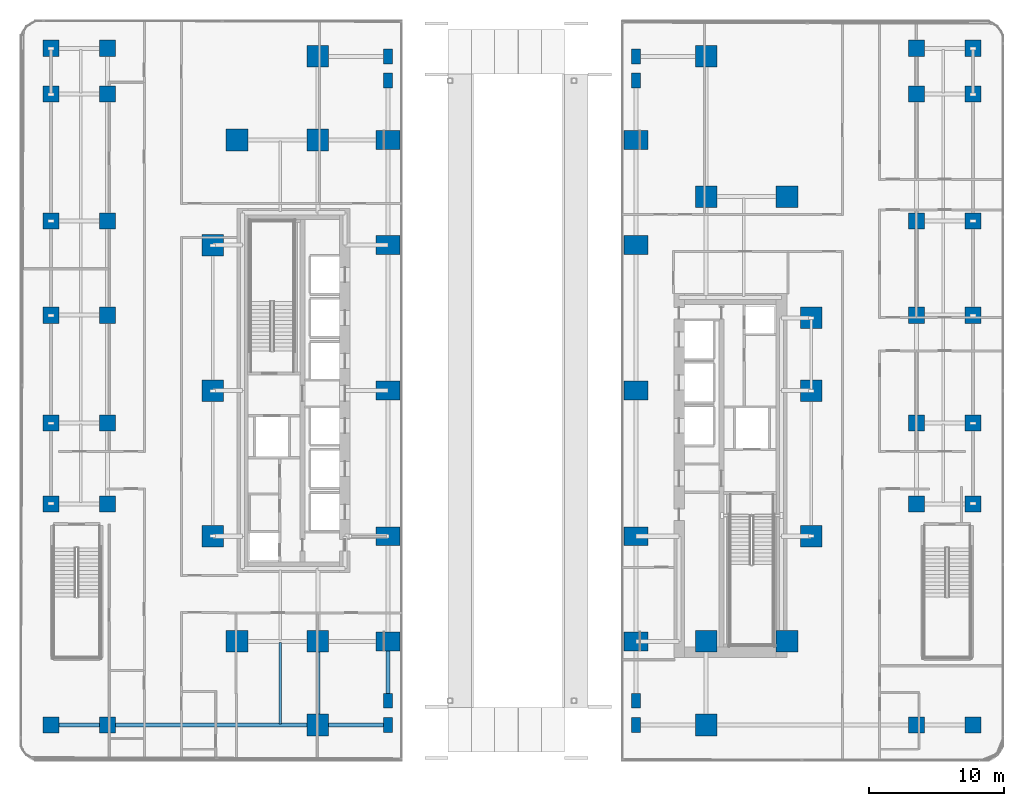
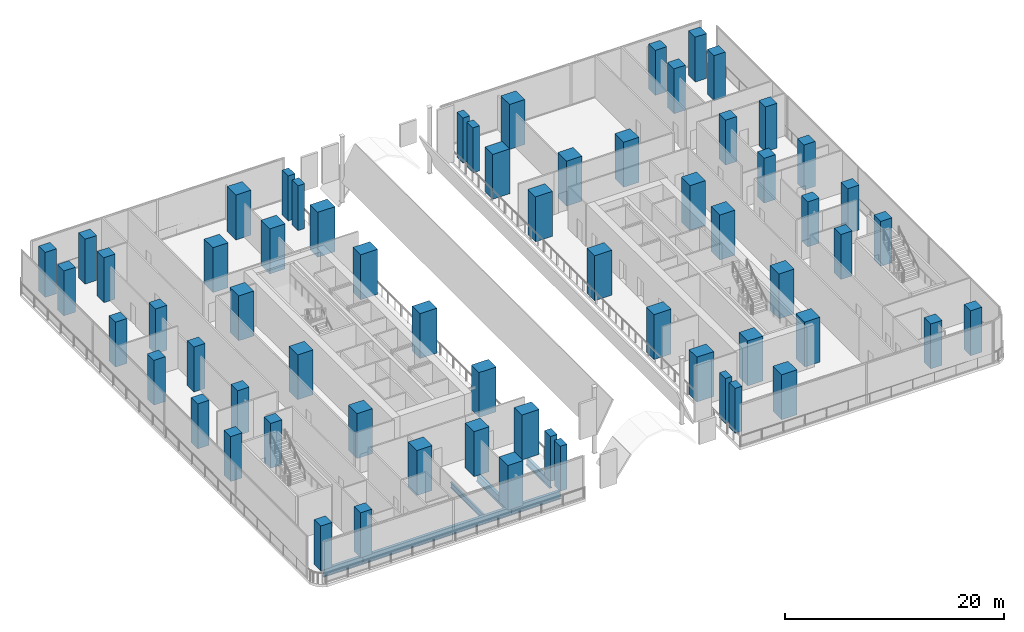
# One storey, part 1 of 31: 64 columns, 6 beams.
"""IFC4 building model written with IfcOpenShell, lengths in metres."""

from ifc_helpers import new_model, si_unit, direction, frame, origin, origin_2d, place, context, subcontext, project, spatial, rectangle, i_section, extrude, material, material_profile, profile_set, type_object, element, save


model = new_model("IFC4")

# Units and contexts
model_context = context("Model", 3, precision=1e-05, world=origin(), true_north=direction((0.0, 1.0)))
body_context = subcontext(model_context, "Body", "Model", "MODEL_VIEW")
ifc_project = project(units=[si_unit("LENGTHUNIT", "METRE"), si_unit("AREAUNIT", "SQUARE_METRE"), si_unit("VOLUMEUNIT", "CUBIC_METRE"), si_unit("PLANEANGLEUNIT", "RADIAN"), si_unit("MASSUNIT", "GRAM", prefix="KILO")], contexts=[model_context])

# Site, building, storey
site_placement = place(None, origin())
site = spatial("IfcSite", under=ifc_project, at=site_placement, CompositionType="ELEMENT")
building_placement = place(site_placement, origin())
building = spatial("IfcBuilding", under=site, at=building_placement, Name="Khairoan Windgate Tower", CompositionType="ELEMENT")
storey_placement = place(building_placement, frame((0.0, 0.0, 11.0)))
storey = spatial("IfcBuildingStorey", under=building, at=storey_placement, Name="L03", CompositionType="ELEMENT", Elevation=11.0)

# Columns
ifc_material_1 = material(Name="Concrete C60/75", Category="concrete")
ifc_material_profile_1 = material_profile(ifc_material_1, rectangle(XDim=0.699951171875, YDim=1.10009765625, at=origin_2d()))
ifc_profile_set_1 = profile_set([ifc_material_profile_1], Name="Concrete C60/75")
column_type_1 = type_object("IfcColumnType", Name="Arch Pilaster CP1 RC700x1100", PredefinedType="PILASTER", material=ifc_profile_set_1)
for number, where, z_axis, x_axis, name in (
    (1, (-9.199951171875, -24.800048828125, 0.0), (0.0, 0.0, 1.0), (1.0, 0.0, 0.0), "Column L03-51"),
    (2, (-9.199951171875, 24.800048828125, 0.0), (0.0, 0.0, 1.0), (1.0, 0.0, 0.0), "Column L03-52"),
    (3, (9.199951171875, -24.800048828125, 0.0), (0.0, 0.0, 1.0), (1.0, 0.0, 0.0), "Column L03-53"),
    (4, (9.199951171875, 24.800048828125, 0.0), (0.0, 0.0, 1.0), (1.0, 0.0, 0.0), "Column L03-54"),
    (5, (-9.199951171875, -23.0, 0.0), (0.0, 0.0, 1.0), (1.0, 0.0, 0.0), "Inner Arch Pier Pilaster L03-01"),
    (6, (-9.199951171875, 23.0, 0.0), (0.0, 0.0, 1.0), (1.0, 0.0, 0.0), "Inner Arch Pier Pilaster L03-02"),
    (7, (9.199951171875, -23.0, 0.0), (0.0, 0.0, 1.0), (1.0, 0.0, 0.0), "Inner Arch Pier Pilaster L03-03"),
    (8, (9.199951171875, 23.0, 0.0), (0.0, 0.0, 1.0), (1.0, 0.0, 0.0), "Inner Arch Pier Pilaster L03-04"),
):
    element("IfcColumn", number, at=place(storey_placement, frame(where, z_axis=z_axis, x_axis=x_axis)), inside=storey, type_object=column_type_1, Name=name, PredefinedType="PILASTER", context=body_context, shape_type="SweptSolid", body=[
        extrude(rectangle(XDim=0.699951171875, YDim=1.10009765625, at=origin_2d()), origin(), (0.0, 0.0, 1.0), 5.0),
    ])
ifc_material_2 = material(Name="Concrete C70/85", Category="concrete")
ifc_material_profile_2 = material_profile(ifc_material_2, rectangle(XDim=1.800048828125, YDim=1.39990234375, at=origin_2d()))
ifc_profile_set_2 = profile_set([ifc_material_profile_2], Name="Concrete C70/85")
column_type_2 = type_object("IfcColumnType", Name="Column C-AP1 RC1800x1400", PredefinedType="COLUMN", material=ifc_profile_set_2)
for number, where, z_axis, x_axis, name in (
    (9, (-9.199951171875, -18.60009765625, 0.0), (0.0, 0.0, 1.0), (1.0, 0.0, 0.0), "Column L03-01"),
    (10, (-9.199951171875, -10.800048828125, 0.0), (0.0, 0.0, 1.0), (1.0, 0.0, 0.0), "Column L03-02"),
    (11, (-9.199951171875, 0.0, 0.0), (0.0, 0.0, 1.0), (1.0, 0.0, 0.0), "Column L03-03"),
    (12, (-9.199951171875, 10.800048828125, 0.0), (0.0, 0.0, 1.0), (1.0, 0.0, 0.0), "Column L03-04"),
    (13, (-9.199951171875, 18.60009765625, 0.0), (0.0, 0.0, 1.0), (1.0, 0.0, 0.0), "Column L03-05"),
    (14, (9.199951171875, -18.60009765625, 0.0), (0.0, 0.0, 1.0), (1.0, 0.0, 0.0), "Column L03-06"),
    (15, (9.199951171875, -10.800048828125, 0.0), (0.0, 0.0, 1.0), (1.0, 0.0, 0.0), "Column L03-07"),
    (16, (9.199951171875, 0.0, 0.0), (0.0, 0.0, 1.0), (1.0, 0.0, 0.0), "Column L03-08"),
    (17, (9.199951171875, 10.800048828125, 0.0), (0.0, 0.0, 1.0), (1.0, 0.0, 0.0), "Column L03-09"),
    (18, (9.199951171875, 18.60009765625, 0.0), (0.0, 0.0, 1.0), (1.0, 0.0, 0.0), "Column L03-10"),
):
    element("IfcColumn", number, at=place(storey_placement, frame(where, z_axis=z_axis, x_axis=x_axis)), inside=storey, type_object=column_type_2, Name=name, PredefinedType="COLUMN", context=body_context, shape_type="SweptSolid", body=[
        extrude(rectangle(XDim=1.800048828125, YDim=1.39990234375, at=origin_2d()), origin(), (0.0, 0.0, 1.0), 5.0),
    ])
ifc_material_3 = material(Name="Concrete C70/85", Category="concrete")
ifc_material_profile_3 = material_profile(ifc_material_3, rectangle(XDim=1.60009765625, YDim=1.60009765625, at=origin_2d()))
ifc_profile_set_3 = profile_set([ifc_material_profile_3], Name="Concrete C70/85")
column_type_3 = type_object("IfcColumnType", Name="Column C-T1 RC1600x1600", PredefinedType="COLUMN", material=ifc_profile_set_3)
for number, where, z_axis, x_axis, name in (
    (19, (-20.39990234375, -18.60009765625, 0.0), (0.0, 0.0, 1.0), (1.0, 0.0, 0.0), "Column L03-11"),
    (20, (-20.39990234375, 18.60009765625, 0.0), (0.0, 0.0, 1.0), (1.0, 0.0, 0.0), "Column L03-12"),
    (21, (20.39990234375, -18.60009765625, 0.0), (0.0, 0.0, 1.0), (1.0, 0.0, 0.0), "Column L03-13"),
    (22, (20.39990234375, 14.39990234375, 0.0), (0.0, 0.0, 1.0), (1.0, 0.0, 0.0), "Column L03-14"),
    (23, (-14.39990234375, -18.60009765625, 0.0), (0.0, 0.0, 1.0), (1.0, 0.0, 0.0), "Column L03-15"),
    (24, (-14.39990234375, 18.60009765625, 0.0), (0.0, 0.0, 1.0), (1.0, 0.0, 0.0), "Column L03-16"),
    (25, (14.39990234375, -18.60009765625, 0.0), (0.0, 0.0, 1.0), (1.0, 0.0, 0.0), "Column L03-17"),
    (26, (14.39990234375, 14.39990234375, 0.0), (0.0, 0.0, 1.0), (1.0, 0.0, 0.0), "Column L03-18"),
    (27, (-22.199951171875, -10.800048828125, 0.0), (0.0, 0.0, 1.0), (1.0, 0.0, 0.0), "Column L03-55"),
    (28, (-22.199951171875, 0.0, 0.0), (0.0, 0.0, 1.0), (1.0, 0.0, 0.0), "Column L03-56"),
    (29, (-22.199951171875, 10.800048828125, 0.0), (0.0, 0.0, 1.0), (1.0, 0.0, 0.0), "Column L03-57"),
    (30, (22.199951171875, -10.800048828125, 0.0), (0.0, 0.0, 1.0), (1.0, 0.0, 0.0), "Column L03-58"),
    (31, (22.199951171875, 0.0, 0.0), (0.0, 0.0, 1.0), (1.0, 0.0, 0.0), "Column L03-59"),
    (32, (22.199951171875, 5.39990234375, 0.0), (0.0, 0.0, 1.0), (1.0, 0.0, 0.0), "Column L03-60"),
    (33, (-14.39990234375, -24.800048828125, 0.0), (0.0, 0.0, 1.0), (1.0, 0.0, 0.0), "Column L03-61"),
    (34, (-14.39990234375, 24.800048828125, 0.0), (0.0, 0.0, 1.0), (1.0, 0.0, 0.0), "Column L03-62"),
    (35, (14.39990234375, -24.800048828125, 0.0), (0.0, 0.0, 1.0), (1.0, 0.0, 0.0), "Column L03-63"),
    (36, (14.39990234375, 24.800048828125, 0.0), (0.0, 0.0, 1.0), (1.0, 0.0, 0.0), "Column L03-64"),
):
    element("IfcColumn", number, at=place(storey_placement, frame(where, z_axis=z_axis, x_axis=x_axis)), inside=storey, type_object=column_type_3, Name=name, PredefinedType="COLUMN", context=body_context, shape_type="SweptSolid", body=[
        extrude(rectangle(XDim=1.60009765625, YDim=1.60009765625, at=origin_2d()), origin(), (0.0, 0.0, 1.0), 5.0),
    ])
ifc_material_4 = material(Name="Concrete C60/75", Category="concrete")
ifc_material_profile_4 = material_profile(ifc_material_4, rectangle(XDim=1.199951171875, YDim=1.199951171875, at=origin_2d()))
ifc_profile_set_4 = profile_set([ifc_material_profile_4], Name="Concrete C60/75")
column_type_4 = type_object("IfcColumnType", Name="Column C-T3 RC1200x1200", PredefinedType="COLUMN", material=ifc_profile_set_4)
for number, where, z_axis, x_axis, name in (
    (37, (-34.199951171875, -24.800048828125, 0.0), (0.0, 0.0, 1.0), (1.0, 0.0, 0.0), "Column L03-19"),
    (38, (-34.199951171875, -8.39990234375, 0.0), (0.0, 0.0, 1.0), (1.0, 0.0, 0.0), "Column L03-21"),
    (39, (-34.199951171875, -2.39990234375, 0.0), (0.0, 0.0, 1.0), (1.0, 0.0, 0.0), "Column L03-22"),
    (40, (-34.199951171875, 5.60009765625, 0.0), (0.0, 0.0, 1.0), (1.0, 0.0, 0.0), "Column L03-23"),
    (41, (-34.199951171875, 12.60009765625, 0.0), (0.0, 0.0, 1.0), (1.0, 0.0, 0.0), "Column L03-24"),
    (42, (-34.199951171875, 22.0, 0.0), (0.0, 0.0, 1.0), (1.0, 0.0, 0.0), "Column L03-25"),
    (43, (-34.199951171875, 25.39990234375, 0.0), (0.0, 0.0, 1.0), (1.0, 0.0, 0.0), "Column L03-26"),
    (44, (-30.0, -24.800048828125, 0.0), (0.0, 0.0, 1.0), (1.0, 0.0, 0.0), "Column L03-27"),
    (45, (-30.0, -8.39990234375, 0.0), (0.0, 0.0, 1.0), (1.0, 0.0, 0.0), "Column L03-29"),
    (46, (-30.0, -2.39990234375, 0.0), (0.0, 0.0, 1.0), (1.0, 0.0, 0.0), "Column L03-30"),
    (47, (-30.0, 5.60009765625, 0.0), (0.0, 0.0, 1.0), (1.0, 0.0, 0.0), "Column L03-31"),
    (48, (-30.0, 12.60009765625, 0.0), (0.0, 0.0, 1.0), (1.0, 0.0, 0.0), "Column L03-32"),
    (49, (-30.0, 22.0, 0.0), (0.0, 0.0, 1.0), (1.0, 0.0, 0.0), "Column L03-33"),
    (50, (-30.0, 25.39990234375, 0.0), (0.0, 0.0, 1.0), (1.0, 0.0, 0.0), "Column L03-34"),
    (51, (30.0, -24.800048828125, 0.0), (0.0, 0.0, 1.0), (1.0, 0.0, 0.0), "Column L03-35"),
    (52, (30.0, -8.39990234375, 0.0), (0.0, 0.0, 1.0), (1.0, 0.0, 0.0), "Column L03-37"),
    (53, (30.0, -2.39990234375, 0.0), (0.0, 0.0, 1.0), (1.0, 0.0, 0.0), "Column L03-38"),
    (54, (30.0, 5.60009765625, 0.0), (0.0, 0.0, 1.0), (1.0, 0.0, 0.0), "Column L03-39"),
    (55, (30.0, 12.60009765625, 0.0), (0.0, 0.0, 1.0), (1.0, 0.0, 0.0), "Column L03-40"),
    (56, (30.0, 22.0, 0.0), (0.0, 0.0, 1.0), (1.0, 0.0, 0.0), "Column L03-41"),
    (57, (30.0, 25.39990234375, 0.0), (0.0, 0.0, 1.0), (1.0, 0.0, 0.0), "Column L03-42"),
    (58, (34.199951171875, -24.800048828125, 0.0), (0.0, 0.0, 1.0), (1.0, 0.0, 0.0), "Column L03-43"),
    (59, (34.199951171875, -8.39990234375, 0.0), (0.0, 0.0, 1.0), (1.0, 0.0, 0.0), "Column L03-45"),
    (60, (34.199951171875, -2.39990234375, 0.0), (0.0, 0.0, 1.0), (1.0, 0.0, 0.0), "Column L03-46"),
    (61, (34.199951171875, 5.60009765625, 0.0), (0.0, 0.0, 1.0), (1.0, 0.0, 0.0), "Column L03-47"),
    (62, (34.199951171875, 12.60009765625, 0.0), (0.0, 0.0, 1.0), (1.0, 0.0, 0.0), "Column L03-48"),
    (63, (34.199951171875, 22.0, 0.0), (0.0, 0.0, 1.0), (1.0, 0.0, 0.0), "Column L03-49"),
    (64, (34.199951171875, 25.39990234375, 0.0), (0.0, 0.0, 1.0), (1.0, 0.0, 0.0), "Column L03-50"),
):
    element("IfcColumn", number, at=place(storey_placement, frame(where, z_axis=z_axis, x_axis=x_axis)), inside=storey, type_object=column_type_4, Name=name, PredefinedType="COLUMN", context=body_context, shape_type="SweptSolid", body=[
        extrude(rectangle(XDim=1.199951171875, YDim=1.199951171875, at=origin_2d()), origin(), (0.0, 0.0, 1.0), 5.0),
    ])

# Beams
ifc_material_5 = material(Name="Steel S355", Category="steel")
ifc_material_profile_5 = material_profile(ifc_material_5, i_section(OverallWidth=0.300048828125, OverallDepth=0.89990234375, WebThickness=0.01611328125, FlangeThickness=0.028076171875, FilletRadius=0.028076171875, at=origin_2d()))
ifc_profile_set_5 = profile_set([ifc_material_profile_5], Name="Steel S355")
beam_type_1 = type_object("IfcBeamType", Name="Beam B-G1 H900x300x16x28", PredefinedType="BEAM", material=ifc_profile_set_5)
beam_1_placement = place(storey_placement, frame((-34.199951171875, -24.800048828125, -0.75), z_axis=(1.0, 0.0, 0.0), x_axis=(0.0, 1.0, 0.0)))
element("IfcBeam", 65, at=beam_1_placement, inside=storey, type_object=beam_type_1, Name="L03 E-W Primary Girder 01", PredefinedType="BEAM", context=body_context, shape_type="SweptSolid", body=[
    extrude(i_section(OverallWidth=0.300048828125, OverallDepth=0.89990234375, WebThickness=0.01611328125, FlangeThickness=0.028076171875, FilletRadius=0.028076171875, at=origin_2d()), origin(), (0.0, 0.0, 1.0), 4.199951171875),
])
beam_2_placement = place(storey_placement, frame((-30.0, -24.800048828125, -0.75), z_axis=(1.0, 0.0, 0.0), x_axis=(0.0, 1.0, 0.0)))
element("IfcBeam", 66, at=beam_2_placement, inside=storey, type_object=beam_type_1, Name="L03 E-W Primary Girder 02", PredefinedType="BEAM", context=body_context, shape_type="SweptSolid", body=[
    extrude(i_section(OverallWidth=0.300048828125, OverallDepth=0.89990234375, WebThickness=0.01611328125, FlangeThickness=0.028076171875, FilletRadius=0.028076171875, at=origin_2d()), origin(), (0.0, 0.0, 1.0), 15.60009765625),
])
beam_3_placement = place(storey_placement, frame((-14.39990234375, -24.800048828125, -0.75), z_axis=(1.0, 0.0, 0.0), x_axis=(0.0, 1.0, 0.0)))
element("IfcBeam", 67, at=beam_3_placement, inside=storey, type_object=beam_type_1, Name="L03 E-W Primary Girder 03", PredefinedType="BEAM", context=body_context, shape_type="SweptSolid", body=[
    extrude(i_section(OverallWidth=0.300048828125, OverallDepth=0.89990234375, WebThickness=0.01611328125, FlangeThickness=0.028076171875, FilletRadius=0.028076171875, at=origin_2d()), origin(), (0.0, 0.0, 1.0), 5.199951171875),
])
beam_4_placement = place(storey_placement, frame((-14.39990234375, -24.800048828125, -0.75), z_axis=(0.0, 1.0, 0.0), x_axis=(-1.0, 0.0, 0.0)))
element("IfcBeam", 68, at=beam_4_placement, inside=storey, type_object=beam_type_1, Name="L03 N-S Primary Beam 59", PredefinedType="BEAM", context=body_context, shape_type="SweptSolid", body=[
    extrude(i_section(OverallWidth=0.300048828125, OverallDepth=0.89990234375, WebThickness=0.01611328125, FlangeThickness=0.028076171875, FilletRadius=0.028076171875, at=origin_2d()), origin(), (0.0, 0.0, 1.0), 6.199951171875),
])
beam_5_placement = place(storey_placement, frame((-9.199951171875, -23.0, -0.75), z_axis=(0.0, 1.0, 0.0), x_axis=(-1.0, 0.0, 0.0)))
element("IfcBeam", 69, at=beam_5_placement, inside=storey, type_object=beam_type_1, Name="L03 N-S Primary Beam 65", PredefinedType="BEAM", context=body_context, shape_type="SweptSolid", body=[
    extrude(i_section(OverallWidth=0.300048828125, OverallDepth=0.89990234375, WebThickness=0.01611328125, FlangeThickness=0.028076171875, FilletRadius=0.028076171875, at=origin_2d()), origin(), (0.0, 0.0, 1.0), 4.39990234375),
])
ifc_material_6 = material(Name="Steel S355", Category="steel")
ifc_material_profile_6 = material_profile(ifc_material_6, i_section(OverallWidth=0.199951171875, OverallDepth=0.60009765625, WebThickness=0.010986328125, FlangeThickness=0.01708984375, FilletRadius=0.02197265625, at=origin_2d()))
ifc_profile_set_6 = profile_set([ifc_material_profile_6], Name="Steel S355")
beam_type_2 = type_object("IfcBeamType", Name="Beam J-S1 H600x200x11x17", PredefinedType="JOIST", material=ifc_profile_set_6)
beam_6_placement = place(storey_placement, frame((-17.199951171875, -24.7099609375, -0.60009765625), z_axis=(0.0, 1.0, 0.0), x_axis=(-1.0, 0.0, 0.0)))
element("IfcBeam", 70, at=beam_6_placement, inside=storey, type_object=beam_type_2, Name="L03 Secondary Floor Joist 06", PredefinedType="JOIST", context=body_context, shape_type="SweptSolid", body=[
    extrude(i_section(OverallWidth=0.199951171875, OverallDepth=0.60009765625, WebThickness=0.010986328125, FlangeThickness=0.01708984375, FilletRadius=0.02197265625, at=origin_2d()), origin(), (0.0, 0.0, 1.0), 6.02001953125),
])

save(model, "model.ifc")
